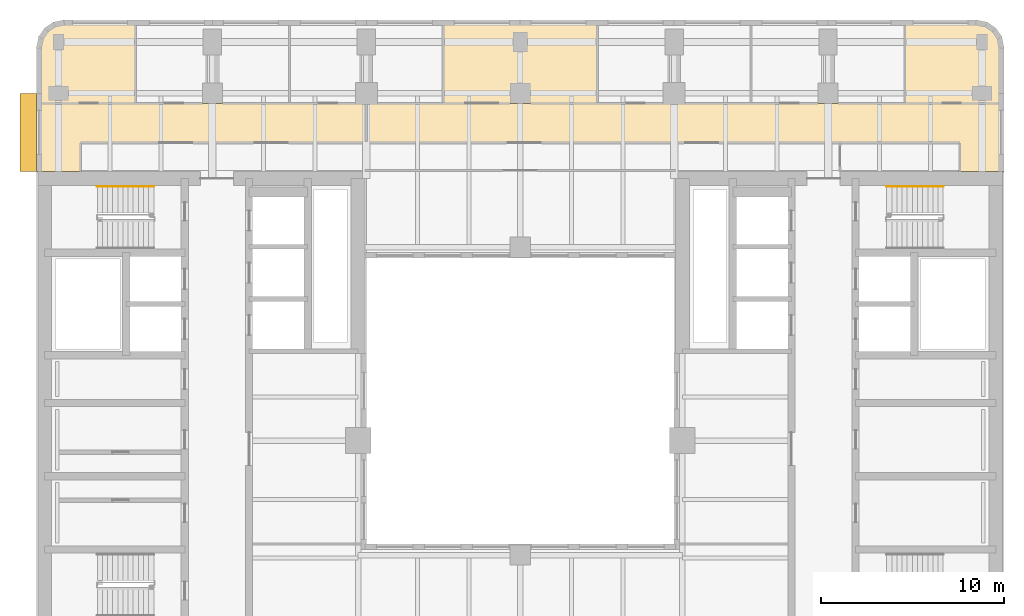
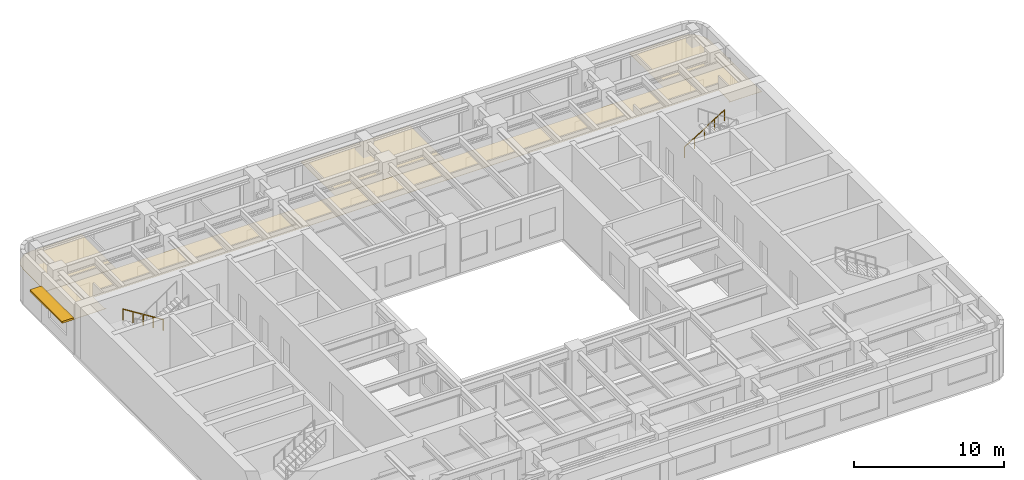
# One storey, part 11 of 11: 5 coverings, 2 railings, 1 shading device.
"""IFC4 building model written with IfcOpenShell, lengths in metres."""

import ifcopenshell
import ifcopenshell.guid

model = None  # the IFC model being written
_history = None  # IfcOwnerHistory: only IFC2X3 demands one
_inside = {}  # id of a spatial element -> (the spatial element, [elements in it])
_under = {}  # id of a project, library or spatial element -> (it, [spatial elements below it])
_declared = {}  # id of a project -> (the project, [libraries it declares])
_typed = {}  # id of a type object -> (the type object, [elements of that type])
_made_of = {}  # id of a material, layer set ... -> (it, [elements and type objects made of it])


def new_model(schema):
    """Start an empty IFC model of exactly this schema.

    Asked for "IFC4X3", IfcOpenShell would pick the latest addendum, in which some entities
    have other attributes; the version numbers below select the first issue.
    IFC2X3 requires an IfcOwnerHistory on every rooted entity: one is made here for all.
    """
    global model, _history
    if schema == "IFC4X3":
        model = ifcopenshell.file(schema_version=(4, 3, 0, 0))
    else:
        model = ifcopenshell.file(schema=schema)
    _inside.clear()
    _under.clear()
    _declared.clear()
    _typed.clear()
    _made_of.clear()
    _history = None
    if model.schema == "IFC2X3":
        org = make("IfcOrganization", Name="unknown")
        user = make(
            "IfcPersonAndOrganization",
            ThePerson=make("IfcPerson", FamilyName="unknown"),
            TheOrganization=org,
        )
        app = make(
            "IfcApplication",
            ApplicationDeveloper=org,
            Version="unknown",
            ApplicationFullName="unknown",
            ApplicationIdentifier="unknown",
        )
        _history = make(
            "IfcOwnerHistory",
            OwningUser=user,
            OwningApplication=app,
            ChangeAction="ADDED",
            CreationDate=0,
        )
    return model


def make(cls, **values):
    """One entity of the class cls with the attributes given. An attribute that is None is left unset."""
    return model.create_entity(
        cls, **{name: value for name, value in values.items() if value is not None}
    )


def rooted(cls, **values):
    """An entity with a GlobalId (a new one), such as an element, a storey or a relation."""
    return make(cls, GlobalId=ifcopenshell.guid.new(), OwnerHistory=_history, **values)


def si_unit(unit_type, name, prefix=None):
    """IfcSIUnit, for example si_unit("LENGTHUNIT", "METRE", prefix="MILLI")."""
    return make("IfcSIUnit", UnitType=unit_type, Prefix=prefix, Name=name)


def assignment(units):
    """IfcUnitAssignment: the units of a project."""
    return None if units is None else make("IfcUnitAssignment", Units=units)


def point(xyz):
    """IfcCartesianPoint."""
    return None if xyz is None else make("IfcCartesianPoint", Coordinates=xyz)


def direction(xyz):
    """IfcDirection."""
    return None if xyz is None else make("IfcDirection", DirectionRatios=xyz)


def frame(location, z_axis=None, x_axis=None):
    """IfcAxis2Placement3D, a coordinate frame: its origin and axes. An axis left out is left unset."""
    return make(
        "IfcAxis2Placement3D",
        Location=point(location),
        Axis=direction(z_axis),
        RefDirection=direction(x_axis),
    )


def frame_2d(location, x_axis=None):
    """IfcAxis2Placement2D, a coordinate frame in the plane: its origin and x axis."""
    return make(
        "IfcAxis2Placement2D", Location=point(location), RefDirection=direction(x_axis)
    )


def origin():
    """The frame at (0, 0, 0) with its axes left unset."""
    return frame((0.0, 0.0, 0.0))


def origin_2d():
    """The frame at (0, 0) in the plane with its x axis left unset."""
    return frame_2d((0.0, 0.0))


def place(relative_to, where):
    """IfcLocalPlacement: puts the frame where relative to a parent placement (None: the world)."""
    return make(
        "IfcLocalPlacement", PlacementRelTo=relative_to, RelativePlacement=where
    )


def context(
    kind, dimensions, precision=None, world=None, true_north=None, identifier=None
):
    """IfcGeometricRepresentationContext, for example the 3D "Model" context."""
    return make(
        "IfcGeometricRepresentationContext",
        ContextIdentifier=identifier,
        ContextType=kind,
        CoordinateSpaceDimension=dimensions,
        Precision=precision,
        WorldCoordinateSystem=world,
        TrueNorth=true_north,
    )


def subcontext(parent, identifier, kind, view, scale=None):
    """IfcGeometricRepresentationSubContext, for example "Body" below "Model"."""
    return make(
        "IfcGeometricRepresentationSubContext",
        ContextIdentifier=identifier,
        ContextType=kind,
        ParentContext=parent,
        TargetScale=scale,
        TargetView=view,
    )


def project(units=None, contexts=None):
    """IfcProject with its units and contexts."""
    return rooted(
        "IfcProject",
        Name="project",
        RepresentationContexts=contexts,
        UnitsInContext=assignment(units),
    )


def spatial(cls, under=None, at=None, **own):
    """A site, building, storey or space (cls), placed at a placement, below another one or the project."""
    s = rooted(cls, ObjectPlacement=at, **own)
    if under is not None:
        _under.setdefault(under.id(), (under, []))[1].append(s)
    return s


def polyline(points):
    """IfcPolyline through the points."""
    return make("IfcPolyline", Points=[point(p) for p in points])


def profile(cls, at=None, kind="AREA", **sizes):
    """A parametric profile (cls). Its sizes go by their IFC names, for example OverallWidth=200.0."""
    return make(cls, ProfileType=kind, Position=at, **sizes)


def rectangle(**sizes):
    """IfcRectangleProfileDef."""
    return profile("IfcRectangleProfileDef", **sizes)


def circle(**sizes):
    """IfcCircleProfileDef."""
    return profile("IfcCircleProfileDef", **sizes)


def outline(outer, holes=None, kind="AREA"):
    """IfcArbitraryClosedProfileDef: a profile drawn as a closed curve; with holes, ...WithVoids."""
    if holes is None:
        return make("IfcArbitraryClosedProfileDef", ProfileType=kind, OuterCurve=outer)
    return make(
        "IfcArbitraryProfileDefWithVoids",
        ProfileType=kind,
        OuterCurve=outer,
        InnerCurves=holes,
    )


def extrude(swept, where, along, depth):
    """IfcExtrudedAreaSolid: the profile swept, set in the frame where, extruded along a direction by depth."""
    return make(
        "IfcExtrudedAreaSolid",
        SweptArea=swept,
        Position=where,
        ExtrudedDirection=direction(along),
        Depth=depth,
    )


def shape(context_of_items, identifier, shape_type, items):
    """IfcShapeRepresentation: the items that make up one representation, for example the "Body"."""
    return make(
        "IfcShapeRepresentation",
        ContextOfItems=context_of_items,
        RepresentationIdentifier=identifier,
        RepresentationType=shape_type,
        Items=items,
    )


def material(Name=None, Category=None):
    """IfcMaterial."""
    return make("IfcMaterial", Name=Name, Category=Category)


def layer(
    of_material, thickness, ventilated=None, Name=None, Category=None, Priority=None
):
    """IfcMaterialLayer: one layer of a wall or slab, of a material (None: an air gap)."""
    return make(
        "IfcMaterialLayer",
        Material=of_material,
        LayerThickness=thickness,
        IsVentilated=ventilated,
        Name=Name,
        Category=Category,
        Priority=Priority,
    )


def layer_set(layers, Name=None):
    """IfcMaterialLayerSet."""
    return make("IfcMaterialLayerSet", MaterialLayers=layers, LayerSetName=Name)


def made_of(thing, what):
    """Note that an element or type object is made of a material, layer set ...; save() writes the relation."""
    if what is not None:
        _made_of.setdefault(what.id(), (what, []))[1].append(thing)
    return thing


def type_object(cls, material=None, **own):
    """A type object (cls), such as IfcWallType, which elements share."""
    return made_of(rooted(cls, **own), material)


def element(
    cls,
    number,
    at=None,
    inside=None,
    cuts=None,
    type_object=None,
    material=None,
    context=None,
    identifier="Body",
    shape_type=None,
    held_by="IfcProductDefinitionShape",
    body=None,
    shapes=None,
    **own,
):
    """One element of the class cls, such as IfcWall. Its Tag is "e" and its number.

    at: its placement. inside: the storey or other place that contains it. cuts: it is an
    opening in that element (IfcRelVoidsElement). A single representation is given by context,
    identifier, shape_type and body (its items); several are given by shapes. held_by: the class
    of the entity that holds the representations. save() writes the other relations.
    """
    e = rooted(cls, Tag="e%d" % number, ObjectPlacement=at, **own)
    if body is not None:
        shapes = [shape(context, identifier, shape_type, body)]
    if shapes is not None:
        e.Representation = make(held_by, Representations=shapes)
    if inside is not None:
        _inside.setdefault(inside.id(), (inside, []))[1].append(e)
    if cuts is not None:
        rooted(
            "IfcRelVoidsElement", RelatingBuildingElement=cuts, RelatedOpeningElement=e
        )
    if type_object is not None:
        _typed.setdefault(type_object.id(), (type_object, []))[1].append(e)
    return made_of(e, material)


def aggregate(whole, parts):
    """IfcRelAggregates: a whole, such as a stair, and the parts it consists of."""
    return rooted("IfcRelAggregates", RelatingObject=whole, RelatedObjects=parts)


def save(model, path):
    """Write the relations noted so far, then the file.

    IfcRelAggregates (storeys below a building ...), IfcRelContainedInSpatialStructure (elements
    in a storey), IfcRelDefinesByType, IfcRelAssociatesMaterial and IfcRelDeclares: one each for
    every whole, place, type object, material and project.
    """
    for whole, parts in _under.values():
        aggregate(whole, parts)
    for where, things in _inside.values():
        rooted(
            "IfcRelContainedInSpatialStructure",
            RelatedElements=things,
            RelatingStructure=where,
        )
    for kind, things in _typed.values():
        rooted("IfcRelDefinesByType", RelatedObjects=things, RelatingType=kind)
    for what, things in _made_of.values():
        rooted("IfcRelAssociatesMaterial", RelatedObjects=things, RelatingMaterial=what)
    for by, libraries in _declared.values():
        rooted("IfcRelDeclares", RelatingContext=by, RelatedDefinitions=libraries)
    model.write(path)


model = new_model("IFC4")

# Units and contexts
model_context = context("Model", 3, precision=1e-05, world=origin(), true_north=direction((0.0, 1.0)))
body_context = subcontext(model_context, "Body", "Model", "MODEL_VIEW")
ifc_project = project(units=[si_unit("LENGTHUNIT", "METRE"), si_unit("AREAUNIT", "SQUARE_METRE"), si_unit("VOLUMEUNIT", "CUBIC_METRE"), si_unit("PLANEANGLEUNIT", "RADIAN"), si_unit("MASSUNIT", "GRAM", prefix="KILO")], contexts=[model_context])

# Site, building, storey
site_placement = place(None, origin())
site = spatial("IfcSite", under=ifc_project, at=site_placement, CompositionType="ELEMENT")
building_placement = place(site_placement, origin())
building = spatial("IfcBuilding", under=site, at=building_placement, Name="Claustro Exchange Tower", CompositionType="ELEMENT")
storey_placement = place(building_placement, frame((0.0, 0.0, 240.60009765625)))
storey = spatial("IfcBuildingStorey", under=building, at=storey_placement, Name="L55", CompositionType="ELEMENT", Elevation=240.60009765625)

# Coverings
ifc_material_1 = material(Name="Perforated metal ceiling tiles", Category="steel")
ifc_layer_1 = layer(ifc_material_1, 0.030029296875)
ifc_layer_set_1 = layer_set([ifc_layer_1], Name="Perforated metal ceiling tiles")
covering_type_1 = type_object("IfcCoveringType", Name="CL1 suspended metal ceiling", PredefinedType="CEILING", material=ifc_layer_set_1)
covering_1_placement = place(storey_placement, frame((0.0, 0.0, 2.7998046875)))
element("IfcCovering", 1, at=covering_1_placement, inside=storey, type_object=covering_type_1, Name="Ceiling CL1 L55-18", PredefinedType="CEILING", context=body_context, shape_type="SweptSolid", body=[
    extrude(outline(polyline([(-1.125, 37.72509765625), (1.294921875, 37.72509765625), (1.294921875, 37.800048828125), (1.199951171875, 37.800048828125), (1.199951171875, 39.300048828125), (16.800048828125, 39.300048828125), (16.800048828125, 41.449951171875), (-1.199951171875, 41.449951171875), (-1.199951171875, 37.705078125), (-1.125, 37.705078125), (-1.125, 37.72509765625)])), origin(), (0.0, 0.0, 1.0), 0.030029296875),
])
ifc_material_2 = material(Name="Gypsum board ceiling", Category="gypsum board")
ifc_layer_2 = layer(ifc_material_2, 0.02490234375)
ifc_layer_set_2 = layer_set([ifc_layer_2], Name="Gypsum board ceiling")
covering_type_2 = type_object("IfcCoveringType", Name="CL2 plasterboard ceiling", PredefinedType="CEILING", material=ifc_layer_set_2)
covering_2_placement = place(storey_placement, frame((0.0, 0.0, 2.7998046875)))
element("IfcCovering", 2, at=covering_2_placement, inside=storey, type_object=covering_type_2, Name="Ceiling CL2 L55-19", PredefinedType="CEILING", context=body_context, shape_type="SweptSolid", body=[
    extrude(outline(polyline([(51.52490234375, 37.72509765625), (51.52490234375, 37.705078125), (51.60009765625, 37.705078125), (51.60009765625, 41.449951171875), (16.800048828125, 41.449951171875), (16.800048828125, 39.300048828125), (49.199951171875, 39.300048828125), (49.199951171875, 37.800048828125), (49.10498046875, 37.800048828125), (49.10498046875, 37.72509765625), (51.52490234375, 37.72509765625)])), origin(), (0.0, 0.0, 1.0), 0.025146484375),
])
covering_3_placement = place(storey_placement, frame((0.0, 0.0, 2.7998046875)))
element("IfcCovering", 3, at=covering_3_placement, inside=storey, type_object=covering_type_2, Name="Ceiling CL2 L55-20", PredefinedType="CEILING", context=body_context, shape_type="SweptSolid", body=[
    extrude(outline(polyline([(-1.199951171875, 44.5), (-1.199951171875, 41.449951171875), (4.199951171875, 41.449951171875), (4.199951171875, 46.0), (0.300048828125, 46.0), (-0.27392578125, 45.8857421875), (-0.7607421875, 45.560791015625), (-1.085693359375, 45.073974609375), (-1.199951171875, 44.5)])), origin(), (0.0, 0.0, 1.0), 0.025146484375),
])
covering_4_placement = place(storey_placement, frame((0.0, 0.0, 2.7998046875)))
element("IfcCovering", 4, at=covering_4_placement, inside=storey, type_object=covering_type_2, Name="Ceiling CL2 L55-23", PredefinedType="CEILING", context=body_context, shape_type="SweptSolid", body=[
    extrude(outline(polyline([(29.39990234375, 46.0), (21.0, 46.0), (21.0, 41.449951171875), (29.39990234375, 41.449951171875), (29.39990234375, 46.0)])), origin(), (0.0, 0.0, 1.0), 0.025146484375),
])
covering_5_placement = place(storey_placement, frame((0.0, 0.0, 2.7998046875)))
element("IfcCovering", 5, at=covering_5_placement, inside=storey, type_object=covering_type_2, Name="Ceiling CL2 L55-26", PredefinedType="CEILING", context=body_context, shape_type="SweptSolid", body=[
    extrude(outline(polyline([(50.10009765625, 46.0), (46.199951171875, 46.0), (46.199951171875, 41.449951171875), (51.60009765625, 41.449951171875), (51.60009765625, 44.5), (51.48583984375, 45.073974609375), (51.16064453125, 45.560791015625), (50.674072265625, 45.8857421875), (50.10009765625, 46.0)])), origin(), (0.0, 0.0, 1.0), 0.025146484375),
])

# Railings
ifc_material_3 = material(Name="Stainless steel tube", Category="steel")
railing_type = type_object("IfcRailingType", Name="HR1 900 stair handrail", PredefinedType="HANDRAIL", material=ifc_material_3)
railing_1_placement = place(storey_placement, frame((5.199951171875, 36.9150390625, 0.1748046875)))
element("IfcRailing", 6, at=railing_1_placement, inside=storey, type_object=railing_type, Name="Handrail HR1 stair STWB L55", PredefinedType="HANDRAIL", context=body_context, shape_type="SweptSolid", body=[
    extrude(circle(Radius=0.02392578125, at=origin_2d()), frame((0.0, 0.0, 0.8759765625), z_axis=(-0.847979421464, 0.0, 0.530029150871), x_axis=(0.0, -1.0, 0.0)), (0.0, 0.0, 1.0), 3.632080078125),
    extrude(circle(Radius=0.02099609375, at=origin_2d()), origin(), (0.0, 0.0, 1.0), 0.851806640625),
    extrude(circle(Radius=0.02099609375, at=origin_2d()), frame((-0.77001953125, 0.0, 0.481201171875)), (0.0, 0.0, 1.0), 0.851806640625),
    extrude(circle(Radius=0.02099609375, at=origin_2d()), frame((-1.5400390625, 0.0, 0.96240234375)), (0.0, 0.0, 1.0), 0.851806640625),
    extrude(circle(Radius=0.02099609375, at=origin_2d()), frame((-2.309814453125, 0.0, 1.44384765625)), (0.0, 0.0, 1.0), 0.851806640625),
    extrude(circle(Radius=0.02099609375, at=origin_2d()), frame((-3.079833984375, 0.0, 1.925048828125)), (0.0, 0.0, 1.0), 0.851806640625),
])
railing_2_placement = place(storey_placement, frame((45.199951171875, 36.9150390625, 0.1748046875)))
element("IfcRailing", 7, at=railing_2_placement, inside=storey, type_object=railing_type, Name="Handrail HR1 stair STEB L55", PredefinedType="HANDRAIL", context=body_context, shape_type="SweptSolid", body=[
    extrude(circle(Radius=0.02392578125, at=origin_2d()), frame((0.0, 0.0, 0.8759765625), z_axis=(0.847998304005, 0.0, 0.529998940003), x_axis=(0.0, 1.0, 0.0)), (0.0, 0.0, 1.0), 3.632080078125),
    extrude(circle(Radius=0.02099609375, at=origin_2d()), origin(), (0.0, 0.0, 1.0), 0.851806640625),
    extrude(circle(Radius=0.02099609375, at=origin_2d()), frame((0.77001953125, 0.0, 0.481201171875)), (0.0, 0.0, 1.0), 0.851806640625),
    extrude(circle(Radius=0.02099609375, at=origin_2d()), frame((1.5400390625, 0.0, 0.96240234375)), (0.0, 0.0, 1.0), 0.851806640625),
    extrude(circle(Radius=0.02099609375, at=origin_2d()), frame((2.31005859375, 0.0, 1.44384765625)), (0.0, 0.0, 1.0), 0.851806640625),
    extrude(circle(Radius=0.02099609375, at=origin_2d()), frame((3.080078125, 0.0, 1.925048828125)), (0.0, 0.0, 1.0), 0.851806640625),
])

# Shading device
ifc_material_4 = material(Name="Concrete HA-40 (C40/50), precast, white cement, acid-etched", Category="concrete")
ifc_layer_3 = layer(ifc_material_4, 0.14990234375)
ifc_layer_set_3 = layer_set([ifc_layer_3], Name="Concrete HA-40 (C40/50), precast, white cement, acid-etched")
shading_device_type = type_object("IfcShadingDeviceType", Name="SS2 900 precast concrete SUNSHADE", PredefinedType="SHUTTER", material=ifc_layer_set_3)
shading_device_placement = place(storey_placement, frame((-1.64990234375, 39.862548828125, 2.800048828125), z_axis=(0.0, 0.0, 1.0), x_axis=(0.0, 1.0, 0.0)))
element("IfcShadingDevice", 8, at=shading_device_placement, inside=storey, type_object=shading_device_type, Name="Precast SUNSHADE SS2 L55", PredefinedType="SHUTTER", context=body_context, shape_type="SweptSolid", body=[
    extrude(rectangle(XDim=4.27490234375, YDim=0.89990234375, at=origin_2d()), origin(), (0.0, 0.0, 1.0), 0.14990234375),
])

save(model, "model.ifc")
